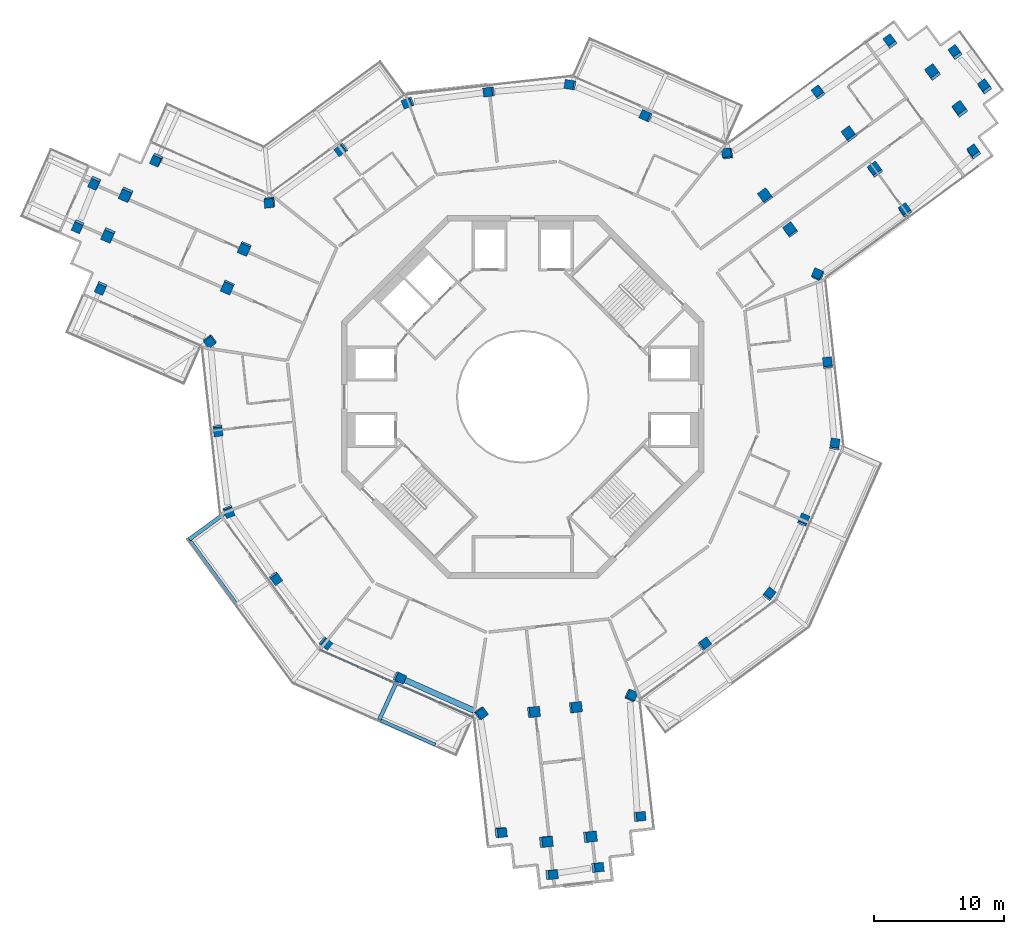
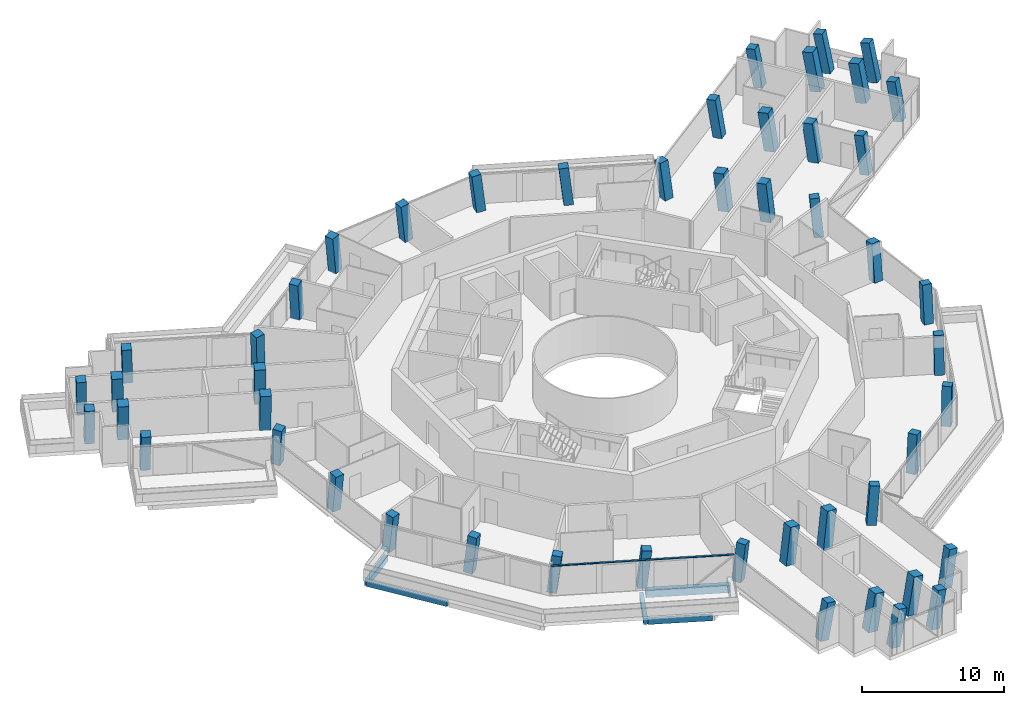
# One storey, part 1 of 24: 49 columns, 5 beams, 1 member, 1 element without a shape of its own.
"""IFC4 building model written with IfcOpenShell, lengths in metres."""

import ifcopenshell
import ifcopenshell.guid

model = None  # the IFC model being written
_history = None  # IfcOwnerHistory: only IFC2X3 demands one
_inside = {}  # id of a spatial element -> (the spatial element, [elements in it])
_under = {}  # id of a project, library or spatial element -> (it, [spatial elements below it])
_declared = {}  # id of a project -> (the project, [libraries it declares])
_typed = {}  # id of a type object -> (the type object, [elements of that type])
_made_of = {}  # id of a material, layer set ... -> (it, [elements and type objects made of it])


def new_model(schema):
    """Start an empty IFC model of exactly this schema.

    Asked for "IFC4X3", IfcOpenShell would pick the latest addendum, in which some entities
    have other attributes; the version numbers below select the first issue.
    IFC2X3 requires an IfcOwnerHistory on every rooted entity: one is made here for all.
    """
    global model, _history
    if schema == "IFC4X3":
        model = ifcopenshell.file(schema_version=(4, 3, 0, 0))
    else:
        model = ifcopenshell.file(schema=schema)
    _inside.clear()
    _under.clear()
    _declared.clear()
    _typed.clear()
    _made_of.clear()
    _history = None
    if model.schema == "IFC2X3":
        org = make("IfcOrganization", Name="unknown")
        user = make(
            "IfcPersonAndOrganization",
            ThePerson=make("IfcPerson", FamilyName="unknown"),
            TheOrganization=org,
        )
        app = make(
            "IfcApplication",
            ApplicationDeveloper=org,
            Version="unknown",
            ApplicationFullName="unknown",
            ApplicationIdentifier="unknown",
        )
        _history = make(
            "IfcOwnerHistory",
            OwningUser=user,
            OwningApplication=app,
            ChangeAction="ADDED",
            CreationDate=0,
        )
    return model


def make(cls, **values):
    """One entity of the class cls with the attributes given. An attribute that is None is left unset."""
    return model.create_entity(
        cls, **{name: value for name, value in values.items() if value is not None}
    )


def rooted(cls, **values):
    """An entity with a GlobalId (a new one), such as an element, a storey or a relation."""
    return make(cls, GlobalId=ifcopenshell.guid.new(), OwnerHistory=_history, **values)


def si_unit(unit_type, name, prefix=None):
    """IfcSIUnit, for example si_unit("LENGTHUNIT", "METRE", prefix="MILLI")."""
    return make("IfcSIUnit", UnitType=unit_type, Prefix=prefix, Name=name)


def assignment(units):
    """IfcUnitAssignment: the units of a project."""
    return None if units is None else make("IfcUnitAssignment", Units=units)


def point(xyz):
    """IfcCartesianPoint."""
    return None if xyz is None else make("IfcCartesianPoint", Coordinates=xyz)


def direction(xyz):
    """IfcDirection."""
    return None if xyz is None else make("IfcDirection", DirectionRatios=xyz)


def frame(location, z_axis=None, x_axis=None):
    """IfcAxis2Placement3D, a coordinate frame: its origin and axes. An axis left out is left unset."""
    return make(
        "IfcAxis2Placement3D",
        Location=point(location),
        Axis=direction(z_axis),
        RefDirection=direction(x_axis),
    )


def frame_2d(location, x_axis=None):
    """IfcAxis2Placement2D, a coordinate frame in the plane: its origin and x axis."""
    return make(
        "IfcAxis2Placement2D", Location=point(location), RefDirection=direction(x_axis)
    )


def origin():
    """The frame at (0, 0, 0) with its axes left unset."""
    return frame((0.0, 0.0, 0.0))


def origin_2d():
    """The frame at (0, 0) in the plane with its x axis left unset."""
    return frame_2d((0.0, 0.0))


def place(relative_to, where):
    """IfcLocalPlacement: puts the frame where relative to a parent placement (None: the world)."""
    return make(
        "IfcLocalPlacement", PlacementRelTo=relative_to, RelativePlacement=where
    )


def context(
    kind, dimensions, precision=None, world=None, true_north=None, identifier=None
):
    """IfcGeometricRepresentationContext, for example the 3D "Model" context."""
    return make(
        "IfcGeometricRepresentationContext",
        ContextIdentifier=identifier,
        ContextType=kind,
        CoordinateSpaceDimension=dimensions,
        Precision=precision,
        WorldCoordinateSystem=world,
        TrueNorth=true_north,
    )


def subcontext(parent, identifier, kind, view, scale=None):
    """IfcGeometricRepresentationSubContext, for example "Body" below "Model"."""
    return make(
        "IfcGeometricRepresentationSubContext",
        ContextIdentifier=identifier,
        ContextType=kind,
        ParentContext=parent,
        TargetScale=scale,
        TargetView=view,
    )


def project(units=None, contexts=None):
    """IfcProject with its units and contexts."""
    return rooted(
        "IfcProject",
        Name="project",
        RepresentationContexts=contexts,
        UnitsInContext=assignment(units),
    )


def spatial(cls, under=None, at=None, **own):
    """A site, building, storey or space (cls), placed at a placement, below another one or the project."""
    s = rooted(cls, ObjectPlacement=at, **own)
    if under is not None:
        _under.setdefault(under.id(), (under, []))[1].append(s)
    return s


def profile(cls, at=None, kind="AREA", **sizes):
    """A parametric profile (cls). Its sizes go by their IFC names, for example OverallWidth=200.0."""
    return make(cls, ProfileType=kind, Position=at, **sizes)


def rectangle(**sizes):
    """IfcRectangleProfileDef."""
    return profile("IfcRectangleProfileDef", **sizes)


def extrude(swept, where, along, depth):
    """IfcExtrudedAreaSolid: the profile swept, set in the frame where, extruded along a direction by depth."""
    return make(
        "IfcExtrudedAreaSolid",
        SweptArea=swept,
        Position=where,
        ExtrudedDirection=direction(along),
        Depth=depth,
    )


def shape(context_of_items, identifier, shape_type, items):
    """IfcShapeRepresentation: the items that make up one representation, for example the "Body"."""
    return make(
        "IfcShapeRepresentation",
        ContextOfItems=context_of_items,
        RepresentationIdentifier=identifier,
        RepresentationType=shape_type,
        Items=items,
    )


def material(Name=None, Category=None):
    """IfcMaterial."""
    return make("IfcMaterial", Name=Name, Category=Category)


def layer(
    of_material, thickness, ventilated=None, Name=None, Category=None, Priority=None
):
    """IfcMaterialLayer: one layer of a wall or slab, of a material (None: an air gap)."""
    return make(
        "IfcMaterialLayer",
        Material=of_material,
        LayerThickness=thickness,
        IsVentilated=ventilated,
        Name=Name,
        Category=Category,
        Priority=Priority,
    )


def layer_set(layers, Name=None):
    """IfcMaterialLayerSet."""
    return make("IfcMaterialLayerSet", MaterialLayers=layers, LayerSetName=Name)


def material_profile(
    of_material, cross_section, Name=None, Category=None, Priority=None
):
    """IfcMaterialProfile: a cross section and its material."""
    return make(
        "IfcMaterialProfile",
        Name=Name,
        Material=of_material,
        Profile=cross_section,
        Priority=Priority,
        Category=Category,
    )


def profile_set(profiles, Name=None, composite=None):
    """IfcMaterialProfileSet."""
    return make(
        "IfcMaterialProfileSet",
        Name=Name,
        MaterialProfiles=profiles,
        CompositeProfile=composite,
    )


def made_of(thing, what):
    """Note that an element or type object is made of a material, layer set ...; save() writes the relation."""
    if what is not None:
        _made_of.setdefault(what.id(), (what, []))[1].append(thing)
    return thing


def type_object(cls, material=None, **own):
    """A type object (cls), such as IfcWallType, which elements share."""
    return made_of(rooted(cls, **own), material)


def element(
    cls,
    number,
    at=None,
    inside=None,
    cuts=None,
    type_object=None,
    material=None,
    context=None,
    identifier="Body",
    shape_type=None,
    held_by="IfcProductDefinitionShape",
    body=None,
    shapes=None,
    **own,
):
    """One element of the class cls, such as IfcWall. Its Tag is "e" and its number.

    at: its placement. inside: the storey or other place that contains it. cuts: it is an
    opening in that element (IfcRelVoidsElement). A single representation is given by context,
    identifier, shape_type and body (its items); several are given by shapes. held_by: the class
    of the entity that holds the representations. save() writes the other relations.
    """
    e = rooted(cls, Tag="e%d" % number, ObjectPlacement=at, **own)
    if body is not None:
        shapes = [shape(context, identifier, shape_type, body)]
    if shapes is not None:
        e.Representation = make(held_by, Representations=shapes)
    if inside is not None:
        _inside.setdefault(inside.id(), (inside, []))[1].append(e)
    if cuts is not None:
        rooted(
            "IfcRelVoidsElement", RelatingBuildingElement=cuts, RelatedOpeningElement=e
        )
    if type_object is not None:
        _typed.setdefault(type_object.id(), (type_object, []))[1].append(e)
    return made_of(e, material)


def aggregate(whole, parts):
    """IfcRelAggregates: a whole, such as a stair, and the parts it consists of."""
    return rooted("IfcRelAggregates", RelatingObject=whole, RelatedObjects=parts)


def save(model, path):
    """Write the relations noted so far, then the file.

    IfcRelAggregates (storeys below a building ...), IfcRelContainedInSpatialStructure (elements
    in a storey), IfcRelDefinesByType, IfcRelAssociatesMaterial and IfcRelDeclares: one each for
    every whole, place, type object, material and project.
    """
    for whole, parts in _under.values():
        aggregate(whole, parts)
    for where, things in _inside.values():
        rooted(
            "IfcRelContainedInSpatialStructure",
            RelatedElements=things,
            RelatingStructure=where,
        )
    for kind, things in _typed.values():
        rooted("IfcRelDefinesByType", RelatedObjects=things, RelatingType=kind)
    for what, things in _made_of.values():
        rooted("IfcRelAssociatesMaterial", RelatedObjects=things, RelatingMaterial=what)
    for by, libraries in _declared.values():
        rooted("IfcRelDeclares", RelatingContext=by, RelatedDefinitions=libraries)
    model.write(path)


model = new_model("IFC4")

# Units and contexts
model_context = context("Model", 3, precision=1e-05, world=origin(), true_north=direction((0.0, 1.0)))
body_context = subcontext(model_context, "Body", "Model", "MODEL_VIEW")
ifc_project = project(units=[si_unit("LENGTHUNIT", "METRE"), si_unit("AREAUNIT", "SQUARE_METRE"), si_unit("VOLUMEUNIT", "CUBIC_METRE"), si_unit("PLANEANGLEUNIT", "RADIAN"), si_unit("MASSUNIT", "GRAM", prefix="KILO")], contexts=[model_context])

# Site, building, storey
site_placement = place(None, origin())
site = spatial("IfcSite", under=ifc_project, at=site_placement, CompositionType="ELEMENT")
building_placement = place(site_placement, origin())
building = spatial("IfcBuilding", under=site, at=building_placement, Name="Verdalira Terraces Hotel", CompositionType="ELEMENT")
storey_placement = place(building_placement, frame((0.0, 0.0, 303.0)))
storey = spatial("IfcBuildingStorey", under=building, at=storey_placement, Name="L75", CompositionType="ELEMENT", Elevation=303.0)

# Columns
ifc_material_1 = material(Name="Concrete C50", Category="concrete")
ifc_material_profile_1 = material_profile(ifc_material_1, rectangle(XDim=0.699951, YDim=0.699951, at=origin_2d()), Name="RC 700X700")
ifc_profile_set_1 = profile_set([ifc_material_profile_1], Name="Concrete C50")
column_type_1 = type_object("IfcColumnType", Name="Column RC 700X700 C50", PredefinedType="COLUMN", material=ifc_profile_set_1)
column_1_placement = place(storey_placement, frame((-28.21875, 18.333496, 0.0), z_axis=(-0.104269805, -0.126090206, 0.986523729), x_axis=(-0.91143693, 0.409075108, -0.044048597)))
element("IfcColumn", 1, at=column_1_placement, inside=storey, type_object=column_type_1, Name="Column C01", PredefinedType="COLUMN", context=body_context, shape_type="SweptSolid", body=[
    extrude(rectangle(XDim=0.699951, YDim=0.699951, at=origin_2d()), origin(), (0.0, 0.0, 1.0), 3.233398),
])
column_2_placement = place(storey_placement, frame((-32.525391, 8.450928, 0.0), z_axis=(-0.057444312, -0.146180658, 0.987588663), x_axis=(0.915649454, -0.401929384, -0.006232806)))
element("IfcColumn", 2, at=column_2_placement, inside=storey, type_object=column_type_1, Name="Column C02", PredefinedType="COLUMN", context=body_context, shape_type="SweptSolid", body=[
    extrude(rectangle(XDim=0.699951, YDim=0.699951, at=origin_2d()), origin(), (0.0, 0.0, 1.0), 3.22998),
])
column_3_placement = place(storey_placement, frame((-24.131836, 4.329834, 0.0), z_axis=(-0.019687391, -0.114855783, 0.99318707), x_axis=(-0.594237303, 0.800224706, 0.080761677)))
element("IfcColumn", 3, at=column_3_placement, inside=storey, type_object=column_type_1, Name="Column C03", PredefinedType="COLUMN", context=body_context, shape_type="SweptSolid", body=[
    extrude(rectangle(XDim=0.699951, YDim=0.699951, at=origin_2d()), origin(), (0.0, 0.0, 1.0), 3.211914),
])
column_4_placement = place(storey_placement, frame((-23.518311, -2.571533, 0.0), z_axis=(0.013232359, -0.111790618, 0.99364368), x_axis=(0.108422299, -0.987711126, -0.112567032)))
element("IfcColumn", 4, at=column_4_placement, inside=storey, type_object=column_type_1, Name="Column C04", PredefinedType="COLUMN", context=body_context, shape_type="SweptSolid", body=[
    extrude(rectangle(XDim=0.699951, YDim=0.699951, at=origin_2d()), origin(), (0.0, 0.0, 1.0), 3.210449),
])
column_5_placement = place(storey_placement, frame((-22.694092, -8.820801, 0.0), z_axis=(0.042875436, -0.107492672, 0.993280938), x_axis=(-0.36014885, 0.925689354, 0.115723917)))
element("IfcColumn", 5, at=column_5_placement, inside=storey, type_object=column_type_1, Name="Column C05", PredefinedType="COLUMN", context=body_context, shape_type="SweptSolid", body=[
    extrude(rectangle(XDim=0.699951, YDim=0.699951, at=origin_2d()), origin(), (0.0, 0.0, 1.0), 3.211426),
])
column_6_placement = place(storey_placement, frame((-19.081543, -13.986084, 0.0), z_axis=(0.067302778, -0.090193328, 0.993647573), x_axis=(0.58747426, -0.801380305, -0.112532662)))
element("IfcColumn", 6, at=column_6_placement, inside=storey, type_object=column_type_1, Name="Column C06", PredefinedType="COLUMN", context=body_context, shape_type="SweptSolid", body=[
    extrude(rectangle(XDim=0.699951, YDim=0.699951, at=origin_2d()), origin(), (0.0, 0.0, 1.0), 3.210449),
])
column_7_placement = place(storey_placement, frame((-15.243408, -18.98584, 0.0), z_axis=(0.090919185, -0.0717623, 0.993269286), x_axis=(-0.774414013, 0.621986949, 0.115823882)))
element("IfcColumn", 7, at=column_7_placement, inside=storey, type_object=column_type_1, Name="Column C07", PredefinedType="COLUMN", context=body_context, shape_type="SweptSolid", body=[
    extrude(rectangle(XDim=0.699951, YDim=0.699951, at=origin_2d()), origin(), (0.0, 0.0, 1.0), 3.21167),
])
column_8_placement = place(storey_placement, frame((-9.531982, -21.653076, 0.0), z_axis=(0.103349904, -0.044488369, 0.993649628), x_axis=(0.909315502, -0.400606791, -0.112514522)))
element("IfcColumn", 8, at=column_8_placement, inside=storey, type_object=column_type_1, Name="Column C08", PredefinedType="COLUMN", context=body_context, shape_type="SweptSolid", body=[
    extrude(rectangle(XDim=0.699951, YDim=0.699951, at=origin_2d()), origin(), (0.0, 0.0, 1.0), 3.210449),
])
column_9_placement = place(storey_placement, frame((-3.266113, -24.411621, 0.0), z_axis=(0.116215921, -0.014517489, 0.993117869), x_axis=(-0.583994019, 0.807791599, 0.080148098)))
element("IfcColumn", 9, at=column_9_placement, inside=storey, type_object=column_type_1, Name="Column C09", PredefinedType="COLUMN", context=body_context, shape_type="SweptSolid", body=[
    extrude(rectangle(XDim=0.699951, YDim=0.699951, at=origin_2d()), origin(), (0.0, 0.0, 1.0), 3.212158),
])
column_10_placement = place(storey_placement, frame((-1.767822, -33.604736, 0.0), z_axis=(0.161349688, -0.027256545, 0.986520835), x_axis=(0.101457856, -0.99386398, -0.044053294)))
element("IfcColumn", 10, at=column_10_placement, inside=storey, type_object=column_type_1, Name="Column C10", PredefinedType="COLUMN", context=body_context, shape_type="SweptSolid", body=[
    extrude(rectangle(XDim=0.699951, YDim=0.699951, at=origin_2d()), origin(), (0.0, 0.0, 1.0), 3.233643),
])
column_11_placement = place(storey_placement, frame((2.148926, -36.858398, 0.0), z_axis=(0.176133535, -0.008588205, 0.984328817), x_axis=(0.978354877, 0.11187012, -0.174088513)))
element("IfcColumn", 11, at=column_11_placement, inside=storey, type_object=column_type_1, Name="Column C11", PredefinedType="COLUMN", context=body_context, shape_type="SweptSolid", body=[
    extrude(rectangle(XDim=0.699951, YDim=0.699951, at=origin_2d()), origin(), (0.0, 0.0, 1.0), 3.240723),
])
column_12_placement = place(storey_placement, frame((5.69043, -36.310303, 0.0), z_axis=(0.173504389, 0.008140084, 0.984799455), x_axis=(0.978783163, 0.109243752, -0.173347403)))
element("IfcColumn", 12, at=column_12_placement, inside=storey, type_object=column_type_1, Name="Column C12", PredefinedType="COLUMN", context=body_context, shape_type="SweptSolid", body=[
    extrude(rectangle(XDim=0.699951, YDim=0.699951, at=origin_2d()), origin(), (0.0, 0.0, 1.0), 3.239258),
])
column_13_placement = place(storey_placement, frame((8.943848, -32.393311, 0.0), z_axis=(0.155400186, 0.023279794, 0.987577254), x_axis=(-0.109277443, 0.993991729, -0.006235652)))
element("IfcColumn", 13, at=column_13_placement, inside=storey, type_object=column_type_1, Name="Column C13", PredefinedType="COLUMN", context=body_context, shape_type="SweptSolid", body=[
    extrude(rectangle(XDim=0.699951, YDim=0.699951, at=origin_2d()), origin(), (0.0, 0.0, 1.0), 3.22998),
])
column_14_placement = place(storey_placement, frame((8.316162, -23.063721, 0.0), z_axis=(0.109306617, 0.040438888, 0.993185159), x_axis=(-0.395433635, -0.914936046, 0.080772964)))
element("IfcColumn", 14, at=column_14_placement, inside=storey, type_object=column_type_1, Name="Column C14", PredefinedType="COLUMN", context=body_context, shape_type="SweptSolid", body=[
    extrude(rectangle(XDim=0.699951, YDim=0.699951, at=origin_2d()), origin(), (0.0, 0.0, 1.0), 3.211914),
])
column_15_placement = place(storey_placement, frame((13.986084, -19.081543, 0.0), z_axis=(0.090193328, 0.067302778, 0.993647573), x_axis=(0.801380305, 0.58747426, -0.112532662)))
element("IfcColumn", 15, at=column_15_placement, inside=storey, type_object=column_type_1, Name="Column C15", PredefinedType="COLUMN", context=body_context, shape_type="SweptSolid", body=[
    extrude(rectangle(XDim=0.699951, YDim=0.699951, at=origin_2d()), origin(), (0.0, 0.0, 1.0), 3.210449),
])
column_16_placement = place(storey_placement, frame((18.98584, -15.243408, 0.0), z_axis=(0.0717623, 0.090919185, 0.993269286), x_axis=(-0.621986949, -0.774414013, 0.115823882)))
element("IfcColumn", 16, at=column_16_placement, inside=storey, type_object=column_type_1, Name="Column C16", PredefinedType="COLUMN", context=body_context, shape_type="SweptSolid", body=[
    extrude(rectangle(XDim=0.699951, YDim=0.699951, at=origin_2d()), origin(), (0.0, 0.0, 1.0), 3.21167),
])
column_17_placement = place(storey_placement, frame((21.653076, -9.531982, 0.0), z_axis=(0.044488369, 0.103349904, 0.993649628), x_axis=(0.400606791, 0.909315502, -0.112514522)))
element("IfcColumn", 17, at=column_17_placement, inside=storey, type_object=column_type_1, Name="Column C17", PredefinedType="COLUMN", context=body_context, shape_type="SweptSolid", body=[
    extrude(rectangle(XDim=0.699951, YDim=0.699951, at=origin_2d()), origin(), (0.0, 0.0, 1.0), 3.210449),
])
column_18_placement = place(storey_placement, frame((24.063965, -3.708008, 0.0), z_axis=(0.016648368, 0.114562055, 0.993276582), x_axis=(-0.151184916, -0.981703846, 0.115761304)))
element("IfcColumn", 18, at=column_18_placement, inside=storey, type_object=column_type_1, Name="Column C18", PredefinedType="COLUMN", context=body_context, shape_type="SweptSolid", body=[
    extrude(rectangle(XDim=0.699951, YDim=0.699951, at=origin_2d()), origin(), (0.0, 0.0, 1.0), 3.211426),
])
column_19_placement = place(storey_placement, frame((23.518311, 2.571533, 0.0), z_axis=(-0.013232359, 0.111790618, 0.99364368), x_axis=(-0.108422299, 0.987711126, -0.112567032)))
element("IfcColumn", 19, at=column_19_placement, inside=storey, type_object=column_type_1, Name="Column C19", PredefinedType="COLUMN", context=body_context, shape_type="SweptSolid", body=[
    extrude(rectangle(XDim=0.699951, YDim=0.699951, at=origin_2d()), origin(), (0.0, 0.0, 1.0), 3.210449),
])
column_20_placement = place(storey_placement, frame((22.773926, 9.377441, 0.0), z_axis=(-0.045453077, 0.107856047, 0.993126926), x_axis=(-0.408011418, -0.909456645, 0.080095527)))
element("IfcColumn", 20, at=column_20_placement, inside=storey, type_object=column_type_1, Name="Column C20", PredefinedType="COLUMN", context=body_context, shape_type="SweptSolid", body=[
    extrude(rectangle(XDim=0.699951, YDim=0.699951, at=origin_2d()), origin(), (0.0, 0.0, 1.0), 3.211914),
])
column_21_placement = place(storey_placement, frame((29.523926, 14.324951, 0.0), z_axis=(-0.060767456, 0.145116313, 0.987546744), x_axis=(0.809256895, 0.586328466, -0.03636217)))
element("IfcColumn", 21, at=column_21_placement, inside=storey, type_object=column_type_1, Name="Column C21", PredefinedType="COLUMN", context=body_context, shape_type="SweptSolid", body=[
    extrude(rectangle(XDim=0.699951, YDim=0.699951, at=origin_2d()), origin(), (0.0, 0.0, 1.0), 3.230225),
])
column_22_placement = place(storey_placement, frame((34.825684, 18.818359, 0.0), z_axis=(-0.073636566, 0.17522497, 0.981770781), x_axis=(0.810717582, 0.583827024, -0.043393647)))
element("IfcColumn", 22, at=column_22_placement, inside=storey, type_object=column_type_1, Name="Column C22", PredefinedType="COLUMN", context=body_context, shape_type="SweptSolid", body=[
    extrude(rectangle(XDim=0.699951, YDim=0.699951, at=origin_2d()), origin(), (0.0, 0.0, 1.0), 3.249268),
])
column_23_placement = place(storey_placement, frame((35.685059, 23.837402, 0.0), z_axis=(-0.097044918, 0.178502699, 0.979142007), x_axis=(-0.583737161, 0.786604302, -0.201257544)))
element("IfcColumn", 23, at=column_23_placement, inside=storey, type_object=column_type_1, Name="Column C23", PredefinedType="COLUMN", context=body_context, shape_type="SweptSolid", body=[
    extrude(rectangle(XDim=0.699951, YDim=0.699951, at=origin_2d()), origin(), (0.0, 0.0, 1.0), 3.257812),
])
column_24_placement = place(storey_placement, frame((33.418213, 26.490479, 0.0), z_axis=(-0.109473124, 0.167883785, 0.979709482), x_axis=(-0.581214049, 0.788762936, -0.200108122)))
element("IfcColumn", 24, at=column_24_placement, inside=storey, type_object=column_type_1, Name="Column C24", PredefinedType="COLUMN", context=body_context, shape_type="SweptSolid", body=[
    extrude(rectangle(XDim=0.699951, YDim=0.699951, at=origin_2d()), origin(), (0.0, 0.0, 1.0), 3.256104),
])
column_25_placement = place(storey_placement, frame((28.39917, 27.349609, 0.0), z_axis=(-0.113592903, 0.144812145, 0.982917135), x_axis=(-0.805983663, -0.591907975, -0.005940034)))
element("IfcColumn", 25, at=column_25_placement, inside=storey, type_object=column_type_1, Name="Column C25", PredefinedType="COLUMN", context=body_context, shape_type="SweptSolid", body=[
    extrude(rectangle(XDim=0.699951, YDim=0.699951, at=origin_2d()), origin(), (0.0, 0.0, 1.0), 3.245361),
])
column_26_placement = place(storey_placement, frame((22.84375, 23.438965, 0.0), z_axis=(-0.103609268, 0.113289549, 0.988145029), x_axis=(-0.805038661, -0.592994945, -0.016424042)))
element("IfcColumn", 26, at=column_26_placement, inside=storey, type_object=column_type_1, Name="Column C26", PredefinedType="COLUMN", context=body_context, shape_type="SweptSolid", body=[
    extrude(rectangle(XDim=0.699951, YDim=0.699951, at=origin_2d()), origin(), (0.0, 0.0, 1.0), 3.228271),
])
column_27_placement = place(storey_placement, frame((15.815918, 18.733887, 0.0), z_axis=(-0.089770684, 0.074416173, 0.993178462), x_axis=(0.989989949, 0.115711882, 0.080812506)))
element("IfcColumn", 27, at=column_27_placement, inside=storey, type_object=column_type_1, Name="Column C27", PredefinedType="COLUMN", context=body_context, shape_type="SweptSolid", body=[
    extrude(rectangle(XDim=0.699951, YDim=0.699951, at=origin_2d()), origin(), (0.0, 0.0, 1.0), 3.211914),
])
column_28_placement = place(storey_placement, frame((9.531982, 21.653076, 0.0), z_axis=(-0.103349904, 0.044488369, 0.993649628), x_axis=(-0.909315502, 0.400606791, -0.112514522)))
element("IfcColumn", 28, at=column_28_placement, inside=storey, type_object=column_type_1, Name="Column C28", PredefinedType="COLUMN", context=body_context, shape_type="SweptSolid", body=[
    extrude(rectangle(XDim=0.699951, YDim=0.699951, at=origin_2d()), origin(), (0.0, 0.0, 1.0), 3.210449),
])
column_29_placement = place(storey_placement, frame((3.708008, 24.063965, 0.0), z_axis=(-0.114562055, 0.016648368, 0.993276582), x_axis=(0.981703846, -0.151184916, 0.115761304)))
element("IfcColumn", 29, at=column_29_placement, inside=storey, type_object=column_type_1, Name="Column C29", PredefinedType="COLUMN", context=body_context, shape_type="SweptSolid", body=[
    extrude(rectangle(XDim=0.699951, YDim=0.699951, at=origin_2d()), origin(), (0.0, 0.0, 1.0), 3.211426),
])
column_30_placement = place(storey_placement, frame((-2.571533, 23.518311, 0.0), z_axis=(-0.111790618, -0.013232359, 0.99364368), x_axis=(-0.987711126, -0.108422299, -0.112567032)))
element("IfcColumn", 30, at=column_30_placement, inside=storey, type_object=column_type_1, Name="Column C30", PredefinedType="COLUMN", context=body_context, shape_type="SweptSolid", body=[
    extrude(rectangle(XDim=0.699951, YDim=0.699951, at=origin_2d()), origin(), (0.0, 0.0, 1.0), 3.210449),
])
column_31_placement = place(storey_placement, frame((-8.820801, 22.694092, 0.0), z_axis=(-0.107492672, -0.042875436, 0.993280938), x_axis=(0.925689354, 0.36014885, 0.115723917)))
element("IfcColumn", 31, at=column_31_placement, inside=storey, type_object=column_type_1, Name="Column C31", PredefinedType="COLUMN", context=body_context, shape_type="SweptSolid", body=[
    extrude(rectangle(XDim=0.699951, YDim=0.699951, at=origin_2d()), origin(), (0.0, 0.0, 1.0), 3.211426),
])
column_32_placement = place(storey_placement, frame((-13.986084, 19.081543, 0.0), z_axis=(-0.090193328, -0.067302778, 0.993647573), x_axis=(-0.801380305, -0.58747426, -0.112532662)))
element("IfcColumn", 32, at=column_32_placement, inside=storey, type_object=column_type_1, Name="Column C32", PredefinedType="COLUMN", context=body_context, shape_type="SweptSolid", body=[
    extrude(rectangle(XDim=0.699951, YDim=0.699951, at=origin_2d()), origin(), (0.0, 0.0, 1.0), 3.210449),
])
column_33_placement = place(storey_placement, frame((-19.508057, 15.03418, 0.0), z_axis=(-0.070687544, -0.093337962, 0.993121994), x_axis=(0.991597467, 0.101560738, 0.080124157)))
element("IfcColumn", 33, at=column_33_placement, inside=storey, type_object=column_type_1, Name="Column C33", PredefinedType="COLUMN", context=body_context, shape_type="SweptSolid", body=[
    extrude(rectangle(XDim=0.699951, YDim=0.699951, at=origin_2d()), origin(), (0.0, 0.0, 1.0), 3.211914),
])
column_34_placement = place(storey_placement, frame((-32.994873, 16.568115, 0.0), z_axis=(-0.095449862, -0.148259927, 0.984331407), x_axis=(-0.392012019, -0.903340874, -0.174074244)))
element("IfcColumn", 34, at=column_34_placement, inside=storey, type_object=column_type_1, Name="Column C34", PredefinedType="COLUMN", context=body_context, shape_type="SweptSolid", body=[
    extrude(rectangle(XDim=0.699951, YDim=0.699951, at=origin_2d()), origin(), (0.0, 0.0, 1.0), 3.240723),
])
column_35_placement = place(storey_placement, frame((-34.290771, 13.227051, 0.0), z_axis=(-0.079742971, -0.154285313, 0.984803077), x_axis=(-0.395076104, -0.90214891, -0.173326905)))
element("IfcColumn", 35, at=column_35_placement, inside=storey, type_object=column_type_1, Name="Column C35", PredefinedType="COLUMN", context=body_context, shape_type="SweptSolid", body=[
    extrude(rectangle(XDim=0.699951, YDim=0.699951, at=origin_2d()), origin(), (0.0, 0.0, 1.0), 3.239258),
])
ifc_material_2 = material(Name="Concrete C50", Category="concrete")
ifc_material_profile_2 = material_profile(ifc_material_2, rectangle(XDim=0.800049, YDim=0.800049, at=origin_2d()), Name="RC 800X800")
ifc_profile_set_2 = profile_set([ifc_material_profile_2], Name="Concrete C50")
column_type_2 = type_object("IfcColumnType", Name="Column RC 800X800 C50", PredefinedType="COLUMN", material=ifc_profile_set_2)
for number, where, z_axis, x_axis, name in (
    (36, (-21.454346, 11.4729, 0.0), (-0.053670618, -0.102475911, 0.993286541), (-0.914941622, 0.403510678, -0.007807775), "Column C36"),
    (37, (-22.766357, 8.492432, 0.0), (-0.039455544, -0.108559762, 0.993306618), (-0.915593834, 0.402033115, 0.007570036), "Column C37"),
):
    element("IfcColumn", number, at=place(storey_placement, frame(where, z_axis=z_axis, x_axis=x_axis)), inside=storey, type_object=column_type_2, Name=name, PredefinedType="COLUMN", context=body_context, shape_type="SweptSolid", body=[
        extrude(rectangle(XDim=0.800049, YDim=0.800049, at=origin_2d()), origin(), (0.0, 0.0, 1.0), 3.211426),
    ])
column_36_placement = place(storey_placement, frame((-30.57959, 15.675781, 0.0), z_axis=(-0.091566188, -0.137085076, 0.98631806), x_axis=(-0.912987683, 0.407012114, -0.028189198)))
element("IfcColumn", 38, at=column_36_placement, inside=storey, type_object=column_type_2, Name="Column C38", PredefinedType="COLUMN", context=body_context, shape_type="SweptSolid", body=[
    extrude(rectangle(XDim=0.800049, YDim=0.800049, at=origin_2d()), origin(), (0.0, 0.0, 1.0), 3.234131),
])
column_37_placement = place(storey_placement, frame((-31.960205, 12.539795, 0.0), z_axis=(-0.076722103, -0.143551888, 0.986664368), x_axis=(-0.914404595, 0.404616544, -0.012234733)))
element("IfcColumn", 39, at=column_37_placement, inside=storey, type_object=column_type_2, Name="Column C39", PredefinedType="COLUMN", context=body_context, shape_type="SweptSolid", body=[
    extrude(rectangle(XDim=0.800049, YDim=0.800049, at=origin_2d()), origin(), (0.0, 0.0, 1.0), 3.233154),
])
for number, where, z_axis, x_axis, name in (
    (40, (0.79126, -24.316406, 0.0), (0.11562691, 0.00471326, 0.993281532), (0.107621504, -0.994161257, -0.007810677), "Column C40"),
    (41, (4.02832, -23.962402, 0.0), (0.113804586, 0.020069747, 0.993300418), (0.109190483, -0.993991992, 0.007573529), "Column C41"),
):
    element("IfcColumn", number, at=place(storey_placement, frame(where, z_axis=z_axis, x_axis=x_axis)), inside=storey, type_object=column_type_2, Name=name, PredefinedType="COLUMN", context=body_context, shape_type="SweptSolid", body=[
        extrude(rectangle(XDim=0.800049, YDim=0.800049, at=origin_2d()), origin(), (0.0, 0.0, 1.0), 3.211426),
    ])
column_38_placement = place(storey_placement, frame((1.714111, -34.320557, 0.0), z_axis=(0.164560781, -0.010794583, 0.986307876), x_axis=(0.103800834, -0.994198254, -0.028199615)))
element("IfcColumn", 42, at=column_38_placement, inside=storey, type_object=column_type_2, Name="Column C42", PredefinedType="COLUMN", context=body_context, shape_type="SweptSolid", body=[
    extrude(rectangle(XDim=0.800049, YDim=0.800049, at=origin_2d()), origin(), (0.0, 0.0, 1.0), 3.234131),
])
column_39_placement = place(storey_placement, frame((5.120361, -33.948242, 0.0), z_axis=(0.162657502, 0.005361505, 0.986668025), x_axis=(0.106975154, -0.994186436, -0.012233066)))
element("IfcColumn", 43, at=column_39_placement, inside=storey, type_object=column_type_2, Name="Column C43", PredefinedType="COLUMN", context=body_context, shape_type="SweptSolid", body=[
    extrude(rectangle(XDim=0.800049, YDim=0.800049, at=origin_2d()), origin(), (0.0, 0.0, 1.0), 3.233154),
])
for number, where, z_axis, x_axis, name in (
    (44, (20.663086, 12.843506, 0.0), (-0.061956431, 0.097761927, 0.99327942), (0.806847358, 0.590708316, -0.007811901), "Column C44"),
    (45, (18.737793, 15.469971, 0.0), (-0.074273542, 0.088489665, 0.993304092), (0.806156094, 0.591654481, 0.007571459), "Column C45"),
):
    element("IfcColumn", number, at=place(storey_placement, frame(where, z_axis=z_axis, x_axis=x_axis)), inside=storey, type_object=column_type_2, Name=name, PredefinedType="COLUMN", context=body_context, shape_type="SweptSolid", body=[
        extrude(rectangle(XDim=0.800049, YDim=0.800049, at=origin_2d()), origin(), (0.0, 0.0, 1.0), 3.211426),
    ])
column_40_placement = place(storey_placement, frame((27.213379, 17.477051, 0.0), z_axis=(-0.075545587, 0.134227644, 0.9880667), x_axis=(0.808377764, 0.588384989, -0.018124443)))
element("IfcColumn", 46, at=column_40_placement, inside=storey, type_object=column_type_2, Name="Column C46", PredefinedType="COLUMN", context=body_context, shape_type="SweptSolid", body=[
    extrude(rectangle(XDim=0.800049, YDim=0.800049, at=origin_2d()), origin(), (0.0, 0.0, 1.0), 3.228516),
])
column_41_placement = place(storey_placement, frame((25.208496, 20.212646, 0.0), z_axis=(-0.088492963, 0.124646499, 0.988247057), x_axis=(0.806807767, 0.590809668, -0.002272252)))
element("IfcColumn", 47, at=column_41_placement, inside=storey, type_object=column_type_2, Name="Column C47", PredefinedType="COLUMN", context=body_context, shape_type="SweptSolid", body=[
    extrude(rectangle(XDim=0.800049, YDim=0.800049, at=origin_2d()), origin(), (0.0, 0.0, 1.0), 3.227783),
])
column_42_placement = place(storey_placement, frame((33.76416, 22.11084, 0.0), z_axis=(-0.089082802, 0.169978399, 0.981413062), x_axis=(0.80934494, 0.586658928, -0.028143736)))
element("IfcColumn", 48, at=column_42_placement, inside=storey, type_object=column_type_2, Name="Column C48", PredefinedType="COLUMN", context=body_context, shape_type="SweptSolid", body=[
    extrude(rectangle(XDim=0.800049, YDim=0.800049, at=origin_2d()), origin(), (0.0, 0.0, 1.0), 3.250244),
])
column_43_placement = place(storey_placement, frame((31.679199, 24.955322, 0.0), z_axis=(-0.102413617, 0.160195033, 0.981758118), x_axis=(0.80783198, 0.589292987, -0.011885631)))
element("IfcColumn", 49, at=column_43_placement, inside=storey, type_object=column_type_2, Name="Column C49", PredefinedType="COLUMN", context=body_context, shape_type="SweptSolid", body=[
    extrude(rectangle(XDim=0.800049, YDim=0.800049, at=origin_2d()), origin(), (0.0, 0.0, 1.0), 3.249268),
])

# Beams
ifc_material_3 = material(Name="Concrete C40", Category="concrete")
ifc_material_profile_3 = material_profile(ifc_material_3, rectangle(XDim=0.300049, YDim=0.5, at=origin_2d()), Name="RC 300X500")
ifc_profile_set_3 = profile_set([ifc_material_profile_3], Name="Concrete C40")
beam_type_1 = type_object("IfcBeamType", Name="Balcony cantilever beam RC 300X500 C40", PredefinedType="BEAM", material=ifc_profile_set_3)
beam_1_placement = place(storey_placement, frame((-9.710449, -21.956543, -0.560059), z_axis=(-0.418172132, -0.908367804, 0.0), x_axis=(0.908367804, -0.418172132, 0.0)))
element("IfcBeam", 50, at=beam_1_placement, inside=storey, type_object=beam_type_1, Name="Balcony cantilever beam R12-1", PredefinedType="BEAM", context=body_context, shape_type="SweptSolid", body=[
    extrude(rectangle(XDim=0.300049, YDim=0.5, at=origin_2d()), origin(), (0.0, 0.0, 1.0), 3.250732),
])
beam_2_placement = place(storey_placement, frame((-23.000488, -9.002197, -0.560059), z_axis=(-0.806553984, -0.591160444, 0.0), x_axis=(0.591160444, -0.806553984, 0.0)))
element("IfcBeam", 51, at=beam_2_placement, inside=storey, type_object=beam_type_1, Name="Balcony cantilever beam R12-3", PredefinedType="BEAM", context=body_context, shape_type="SweptSolid", body=[
    extrude(rectangle(XDim=0.300049, YDim=0.5, at=origin_2d()), origin(), (0.0, 0.0, 1.0), 3.385742),
])
ifc_material_4 = material(Name="Concrete C40", Category="concrete")
ifc_material_profile_4 = material_profile(ifc_material_4, rectangle(XDim=0.25, YDim=0.449951, at=origin_2d()), Name="RC 250X450")
ifc_profile_set_4 = profile_set([ifc_material_profile_4], Name="Concrete C40")
beam_type_2 = type_object("IfcBeamType", Name="Balcony edge beam RC 250X450 C40", PredefinedType="BEAM", material=ifc_profile_set_4)
beam_3_placement = place(storey_placement, frame((-10.933105, -24.970703, -0.534912), z_axis=(0.91279005, -0.408429095, 0.0), x_axis=(0.408429095, 0.91279005, 0.0)))
element("IfcBeam", 52, at=beam_3_placement, inside=storey, type_object=beam_type_2, Name="Balcony edge beam R12-1", PredefinedType="BEAM", context=body_context, shape_type="SweptSolid", body=[
    extrude(rectangle(XDim=0.25, YDim=0.449951, at=origin_2d()), origin(), (0.0, 0.0, 1.0), 4.585938),
])
beam_4_placement = place(storey_placement, frame((-25.731201, -11.003662, -0.534912), z_axis=(0.591188976, -0.806533071, 0.0), x_axis=(0.806533071, 0.591188976, 0.0)))
element("IfcBeam", 53, at=beam_4_placement, inside=storey, type_object=beam_type_2, Name="Balcony edge beam R12-2", PredefinedType="BEAM", context=body_context, shape_type="SweptSolid", body=[
    extrude(rectangle(XDim=0.25, YDim=0.449951, at=origin_2d()), origin(), (0.0, 0.0, 1.0), 6.241211),
])

# Curtain wall, member
ifc_material_5 = material(Name="Clear glass", Category="glass")
ifc_layer = layer(ifc_material_5, 0.14990234375)
ifc_layer_set = layer_set([ifc_layer], Name="CW1 curtain wall")
curtain_wall_type = type_object("IfcCurtainWallType", Name="CW1 curtain wall", PredefinedType="NOTDEFINED", material=ifc_layer_set)
curtain_wall_placement = place(storey_placement, origin())
curtain_wall = element("IfcCurtainWall", 54, at=curtain_wall_placement, inside=storey, type_object=curtain_wall_type, Name="CW1 curtain wall L75 edge 13", PredefinedType="NOTDEFINED")
ifc_material_6 = material(Name="Terracotta frame", Category="masonry")
ifc_material_profile_5 = material_profile(ifc_material_6, rectangle(XDim=0.110107, YDim=0.064941, at=origin_2d()), Name="TR 65x110")
ifc_profile_set_5 = profile_set([ifc_material_profile_5], Name="Terracotta frame")
member_type = type_object("IfcMemberType", Name="CW1 transom 65x110", PredefinedType="USERDEFINED", material=ifc_profile_set_5)
member_placement = place(storey_placement, frame((-15.656006, -19.530762, 2.557617), z_axis=(0.915241408, -0.402905902, 0.0), x_axis=(0.402905902, 0.915241408, 0.0)))
member = element("IfcMember", 55, at=member_placement, type_object=member_type, Name="CW1 transom", ObjectType="TRANSOM", PredefinedType="USERDEFINED", context=body_context, shape_type="SweptSolid", body=[
    extrude(rectangle(XDim=0.110107, YDim=0.064941, at=origin_2d()), origin(), (0.0, 0.0, 1.0), 12.959961),
])
aggregate(curtain_wall, [member])

# Beam
ifc_material_7 = material(Name="Concrete C40", Category="concrete")
ifc_material_profile_6 = material_profile(ifc_material_7, rectangle(XDim=0.449951, YDim=0.600098, at=origin_2d()), Name="RC 450X600")
ifc_profile_set_6 = profile_set([ifc_material_profile_6], Name="Concrete C40")
beam_type_3 = type_object("IfcBeamType", Name="Spandrel beam RC 450X600 C40", PredefinedType="SPANDREL", material=ifc_profile_set_6)
beam_5_placement = place(storey_placement, frame((-9.270752, -21.768555, -0.610107), z_axis=(0.91405422, -0.405592016, 0.0), x_axis=(0.405592016, 0.91405422, 0.0)))
element("IfcBeam", 56, at=beam_5_placement, inside=storey, type_object=beam_type_3, Name="Spandrel beam B09", PredefinedType="SPANDREL", context=body_context, shape_type="SweptSolid", body=[
    extrude(rectangle(XDim=0.449951, YDim=0.600098, at=origin_2d()), origin(), (0.0, 0.0, 1.0), 6.011475),
])

save(model, "model.ifc")
